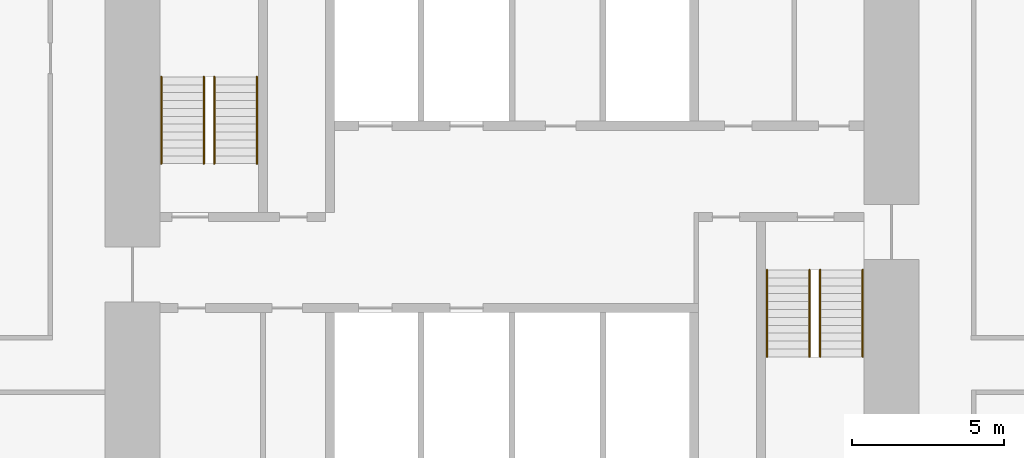
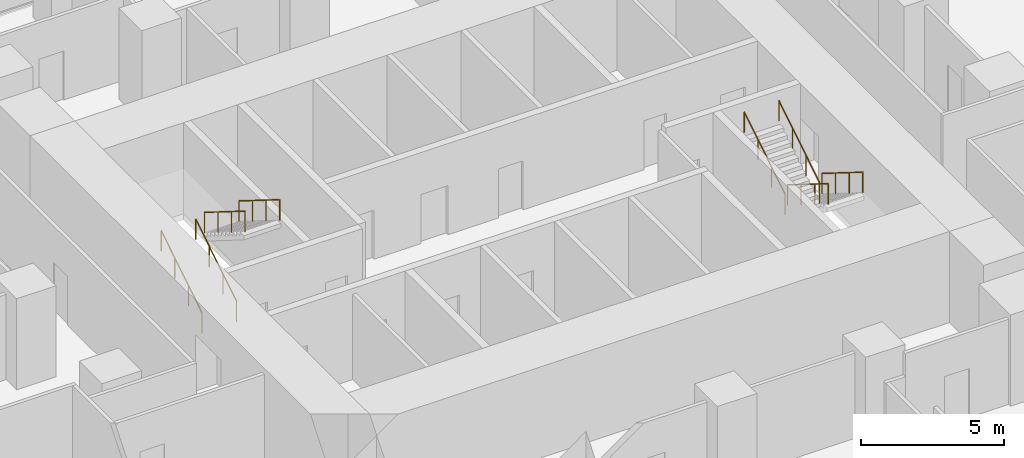
# One storey, part 12 of 12: 8 railings.
"""IFC4 building model written with IfcOpenShell, lengths in metres."""

from ifc_helpers import new_model, si_unit, direction, frame, origin, origin_2d, place, context, subcontext, project, spatial, circle, extrude, material, type_object, element, save


model = new_model("IFC4")

# Units and contexts
model_context = context("Model", 3, precision=1e-05, world=origin(), true_north=direction((0.0, 1.0)))
body_context = subcontext(model_context, "Body", "Model", "MODEL_VIEW")
ifc_project = project(units=[si_unit("LENGTHUNIT", "METRE"), si_unit("AREAUNIT", "SQUARE_METRE"), si_unit("VOLUMEUNIT", "CUBIC_METRE"), si_unit("PLANEANGLEUNIT", "RADIAN"), si_unit("MASSUNIT", "GRAM", prefix="KILO")], contexts=[model_context])

# Site, building, storey
site_placement = place(None, origin())
site = spatial("IfcSite", under=ifc_project, at=site_placement, CompositionType="ELEMENT")
building_placement = place(site_placement, origin())
building = spatial("IfcBuilding", under=site, at=building_placement, Name="Highveld Stack Headquarters", CompositionType="ELEMENT")
storey_placement = place(building_placement, frame((0.0, 0.0, 148.39990234375)))
storey = spatial("IfcBuildingStorey", under=building, at=storey_placement, Name="L36", CompositionType="ELEMENT", Elevation=148.39990234375)

# Railings
ifc_material = material(Name="Stainless steel handrail", Category="steel")
railing_type = type_object("IfcRailingType", Name="STAIR HANDRAIL HR1 900", PredefinedType="HANDRAIL", material=ifc_material)
for number, where, name in (
    (1, (-5.550048828125, 4.75, 0.16259765625), "Handrail S1 L36 flight 1"),
    (2, (-4.14990234375, 4.75, 0.16259765625), "Handrail S1 L36 flight 1"),
):
    element("IfcRailing", number, at=place(storey_placement, frame(where)), inside=storey, type_object=railing_type, Name=name, PredefinedType="HANDRAIL", context=body_context, shape_type="SweptSolid", body=[
        extrude(circle(Radius=0.02392578125, at=origin_2d()), frame((0.0, 0.0, 0.8759765625), z_axis=(0.0, 0.847994237388, 0.530005446535), x_axis=(-1.0, 0.0, 0.0)), (0.0, 0.0, 1.0), 3.372802734375),
        extrude(circle(Radius=0.02099609375, at=origin_2d()), origin(), (0.0, 0.0, 1.0), 0.851806640625),
        extrude(circle(Radius=0.02099609375, at=origin_2d()), frame((0.0, 0.953369140625, 0.595947265625)), (0.0, 0.0, 1.0), 0.851806640625),
        extrude(circle(Radius=0.02099609375, at=origin_2d()), frame((0.0, 1.90673828125, 1.191650390625)), (0.0, 0.0, 1.0), 0.851806640625),
        extrude(circle(Radius=0.02099609375, at=origin_2d()), frame((0.0, 2.860107421875, 1.78759765625)), (0.0, 0.0, 1.0), 0.851806640625),
    ])
for number, where, name in (
    (3, (-3.800048828125, 7.610107421875, 2.112548828125), "Handrail S1 L36 flight 2"),
    (4, (-2.39990234375, 7.610107421875, 2.112548828125), "Handrail S1 L36 flight 2"),
    (5, (16.14990234375, 1.25, 0.16259765625), "Handrail S2 L36 flight 1"),
    (6, (17.550048828125, 1.25, 0.16259765625), "Handrail S2 L36 flight 1"),
):
    element("IfcRailing", number, at=place(storey_placement, frame(where)), inside=storey, type_object=railing_type, Name=name, PredefinedType="HANDRAIL", context=body_context, shape_type="SweptSolid", body=[
        extrude(circle(Radius=0.02392578125, at=origin_2d()), frame((0.0, 0.0, 0.8759765625), z_axis=(0.0, -0.847994237388, 0.530005446535), x_axis=(1.0, 0.0, 0.0)), (0.0, 0.0, 1.0), 3.372802734375),
        extrude(circle(Radius=0.02099609375, at=origin_2d()), origin(), (0.0, 0.0, 1.0), 0.851806640625),
        extrude(circle(Radius=0.02099609375, at=origin_2d()), frame((0.0, -0.953369140625, 0.595947265625)), (0.0, 0.0, 1.0), 0.851806640625),
        extrude(circle(Radius=0.02099609375, at=origin_2d()), frame((0.0, -1.90673828125, 1.191650390625)), (0.0, 0.0, 1.0), 0.851806640625),
        extrude(circle(Radius=0.02099609375, at=origin_2d()), frame((0.0, -2.860107421875, 1.78759765625)), (0.0, 0.0, 1.0), 0.851806640625),
    ])
for number, where, name in (
    (7, (14.39990234375, -1.610107421875, 2.112548828125), "Handrail S2 L36 flight 2"),
    (8, (15.800048828125, -1.610107421875, 2.112548828125), "Handrail S2 L36 flight 2"),
):
    element("IfcRailing", number, at=place(storey_placement, frame(where)), inside=storey, type_object=railing_type, Name=name, PredefinedType="HANDRAIL", context=body_context, shape_type="SweptSolid", body=[
        extrude(circle(Radius=0.02392578125, at=origin_2d()), frame((0.0, 0.0, 0.8759765625), z_axis=(0.0, 0.847994237388, 0.530005446535), x_axis=(-1.0, 0.0, 0.0)), (0.0, 0.0, 1.0), 3.372802734375),
        extrude(circle(Radius=0.02099609375, at=origin_2d()), origin(), (0.0, 0.0, 1.0), 0.851806640625),
        extrude(circle(Radius=0.02099609375, at=origin_2d()), frame((0.0, 0.953369140625, 0.595947265625)), (0.0, 0.0, 1.0), 0.851806640625),
        extrude(circle(Radius=0.02099609375, at=origin_2d()), frame((0.0, 1.90673828125, 1.191650390625)), (0.0, 0.0, 1.0), 0.851806640625),
        extrude(circle(Radius=0.02099609375, at=origin_2d()), frame((0.0, 2.860107421875, 1.78759765625)), (0.0, 0.0, 1.0), 0.851806640625),
    ])

save(model, "model.ifc")
